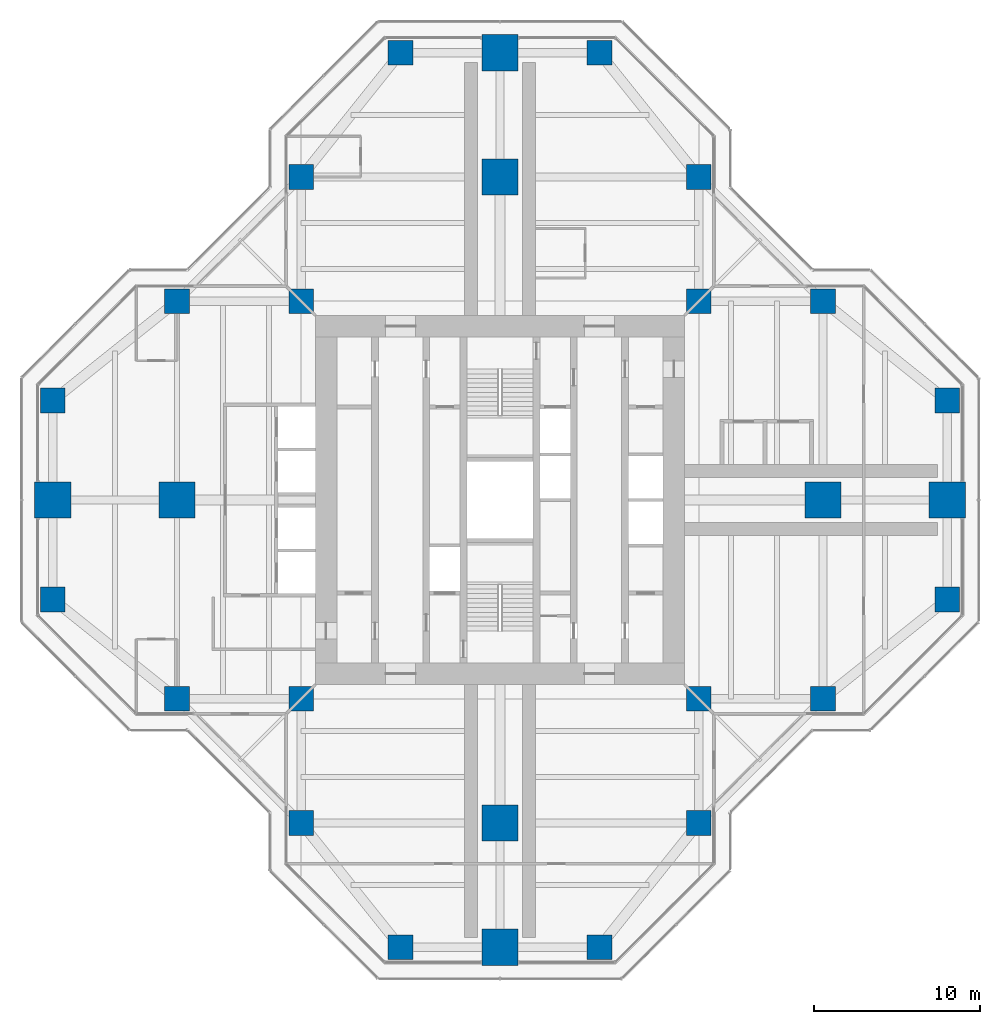
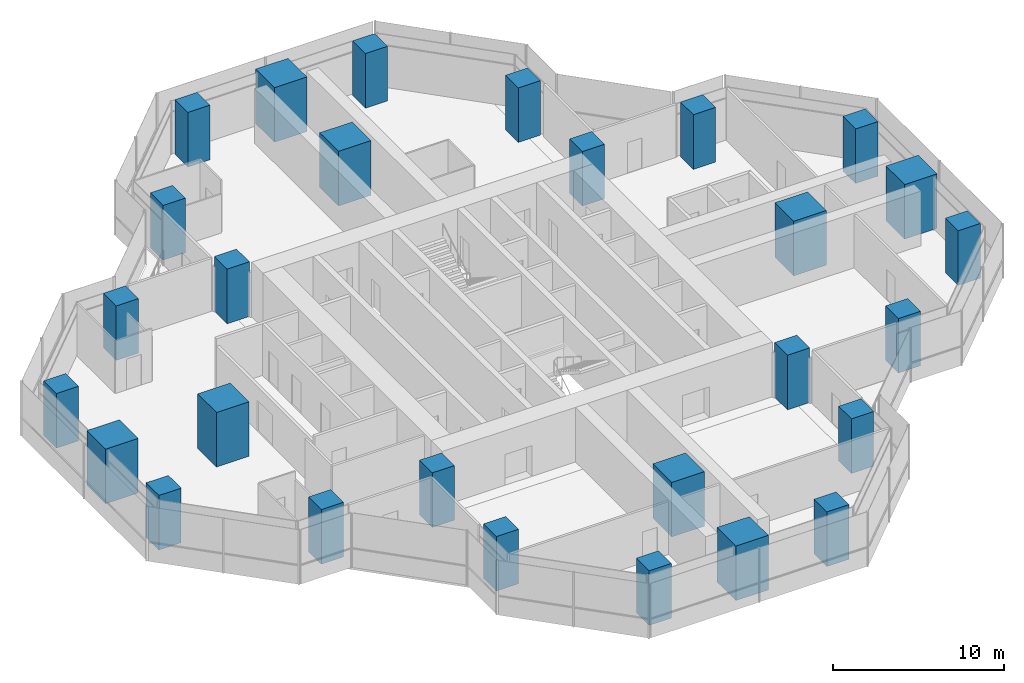
# One storey, part 1 of 17: 28 columns.
"""IFC4 building model written with IfcOpenShell, lengths in metres."""

from ifc_helpers import new_model, si_unit, direction, frame, origin, origin_2d, place, context, subcontext, project, spatial, rectangle, extrude, material, material_profile, profile_set, type_object, element, save


model = new_model("IFC4")

# Units and contexts
model_context = context("Model", 3, precision=1e-05, world=origin(), true_north=direction((0.0, 1.0)))
body_context = subcontext(model_context, "Body", "Model", "MODEL_VIEW")
ifc_project = project(units=[si_unit("LENGTHUNIT", "METRE"), si_unit("AREAUNIT", "SQUARE_METRE"), si_unit("VOLUMEUNIT", "CUBIC_METRE"), si_unit("PLANEANGLEUNIT", "RADIAN"), si_unit("MASSUNIT", "GRAM", prefix="KILO")], contexts=[model_context])

# Site, building, storey
site_placement = place(None, origin())
site = spatial("IfcSite", under=ifc_project, at=site_placement, CompositionType="ELEMENT")
building_placement = place(site_placement, origin())
building = spatial("IfcBuilding", under=site, at=building_placement, Name="Mizan Broadcast Tower", CompositionType="ELEMENT")
storey_placement = place(building_placement, frame((0.0, 0.0, 212.699951171875)))
storey = spatial("IfcBuildingStorey", under=building, at=storey_placement, Name="L49", CompositionType="ELEMENT", Elevation=212.699951171875)

# Columns
ifc_material_1 = material(Name="Concrete C70/85", Category="concrete")
ifc_material_profile_1 = material_profile(ifc_material_1, rectangle(XDim=1.5, YDim=1.5, at=origin_2d()), Name="RC 1500x1500")
ifc_profile_set_1 = profile_set([ifc_material_profile_1], Name="Concrete C70/85")
column_type_1 = type_object("IfcColumnType", Name="RC COLUMN 1500x1500 C70/85", PredefinedType="COLUMN", material=ifc_profile_set_1)
for number, where, z_axis, x_axis, name in (
    (1, (-6.0, -27.0, 0.0), (0.0, 0.0, 1.0), (1.0, 0.0, 0.0), "Column 5/B L49"),
    (2, (6.0, -27.0, 0.0), (0.0, 0.0, 1.0), (1.0, 0.0, 0.0), "Column 7/B L49"),
    (3, (-12.0, -19.5, 0.0), (0.0, 0.0, 1.0), (1.0, 0.0, 0.0), "Column 4/C L49"),
    (4, (12.0, -19.5, 0.0), (0.0, 0.0, 1.0), (1.0, 0.0, 0.0), "Column 8/C L49"),
    (5, (-19.5, -12.0, 0.0), (0.0, 0.0, 1.0), (1.0, 0.0, 0.0), "Column 3/D L49"),
    (6, (-12.0, -12.0, 0.0), (0.0, 0.0, 1.0), (1.0, 0.0, 0.0), "Column 4/D L49"),
    (7, (12.0, -12.0, 0.0), (0.0, 0.0, 1.0), (1.0, 0.0, 0.0), "Column 8/D L49"),
    (8, (19.5, -12.0, 0.0), (0.0, 0.0, 1.0), (1.0, 0.0, 0.0), "Column 9/D L49"),
    (9, (-27.0, -6.0, 0.0), (0.0, 0.0, 1.0), (1.0, 0.0, 0.0), "Column 2/E L49"),
    (10, (27.0, -6.0, 0.0), (0.0, 0.0, 1.0), (1.0, 0.0, 0.0), "Column 10/E L49"),
    (11, (-27.0, 6.0, 0.0), (0.0, 0.0, 1.0), (1.0, 0.0, 0.0), "Column 2/G L49"),
    (12, (27.0, 6.0, 0.0), (0.0, 0.0, 1.0), (1.0, 0.0, 0.0), "Column 10/G L49"),
    (13, (-19.5, 12.0, 0.0), (0.0, 0.0, 1.0), (1.0, 0.0, 0.0), "Column 3/H L49"),
    (14, (-12.0, 12.0, 0.0), (0.0, 0.0, 1.0), (1.0, 0.0, 0.0), "Column 4/H L49"),
    (15, (12.0, 12.0, 0.0), (0.0, 0.0, 1.0), (1.0, 0.0, 0.0), "Column 8/H L49"),
    (16, (19.5, 12.0, 0.0), (0.0, 0.0, 1.0), (1.0, 0.0, 0.0), "Column 9/H L49"),
    (17, (-12.0, 19.5, 0.0), (0.0, 0.0, 1.0), (1.0, 0.0, 0.0), "Column 4/J L49"),
    (18, (12.0, 19.5, 0.0), (0.0, 0.0, 1.0), (1.0, 0.0, 0.0), "Column 8/J L49"),
    (19, (-6.0, 27.0, 0.0), (0.0, 0.0, 1.0), (1.0, 0.0, 0.0), "Column 5/K L49"),
    (20, (6.0, 27.0, 0.0), (0.0, 0.0, 1.0), (1.0, 0.0, 0.0), "Column 7/K L49"),
):
    element("IfcColumn", number, at=place(storey_placement, frame(where, z_axis=z_axis, x_axis=x_axis)), inside=storey, type_object=column_type_1, Name=name, PredefinedType="COLUMN", context=body_context, shape_type="SweptSolid", body=[
        extrude(rectangle(XDim=1.5, YDim=1.5, at=origin_2d()), origin(), (0.0, 0.0, 1.0), 3.900146484375),
    ])
ifc_material_2 = material(Name="Concrete C70/85", Category="concrete")
ifc_material_profile_2 = material_profile(ifc_material_2, rectangle(XDim=2.199951171875, YDim=2.199951171875, at=origin_2d()), Name="RC 2200x2200")
ifc_profile_set_2 = profile_set([ifc_material_profile_2], Name="Concrete C70/85")
column_type_2 = type_object("IfcColumnType", Name="RC COLUMN 2200x2200 C70/85", PredefinedType="COLUMN", material=ifc_profile_set_2)
for number, where, z_axis, x_axis, name in (
    (21, (0.0, -27.0, 0.0), (0.0, 0.0, 1.0), (1.0, 0.0, 0.0), "Column 6/B L49"),
    (22, (0.0, -19.5, 0.0), (0.0, 0.0, 1.0), (1.0, 0.0, 0.0), "Column 6/C L49"),
    (23, (-27.0, 0.0, 0.0), (0.0, 0.0, 1.0), (1.0, 0.0, 0.0), "Column 2/F L49"),
    (24, (-19.5, 0.0, 0.0), (0.0, 0.0, 1.0), (1.0, 0.0, 0.0), "Column 3/F L49"),
    (25, (19.5, 0.0, 0.0), (0.0, 0.0, 1.0), (1.0, 0.0, 0.0), "Column 9/F L49"),
    (26, (27.0, 0.0, 0.0), (0.0, 0.0, 1.0), (1.0, 0.0, 0.0), "Column 10/F L49"),
    (27, (0.0, 19.5, 0.0), (0.0, 0.0, 1.0), (1.0, 0.0, 0.0), "Column 6/J L49"),
    (28, (0.0, 27.0, 0.0), (0.0, 0.0, 1.0), (1.0, 0.0, 0.0), "Column 6/K L49"),
):
    element("IfcColumn", number, at=place(storey_placement, frame(where, z_axis=z_axis, x_axis=x_axis)), inside=storey, type_object=column_type_2, Name=name, PredefinedType="COLUMN", context=body_context, shape_type="SweptSolid", body=[
        extrude(rectangle(XDim=2.199951171875, YDim=2.199951171875, at=origin_2d()), origin(), (0.0, 0.0, 1.0), 3.900146484375),
    ])

save(model, "model.ifc")
